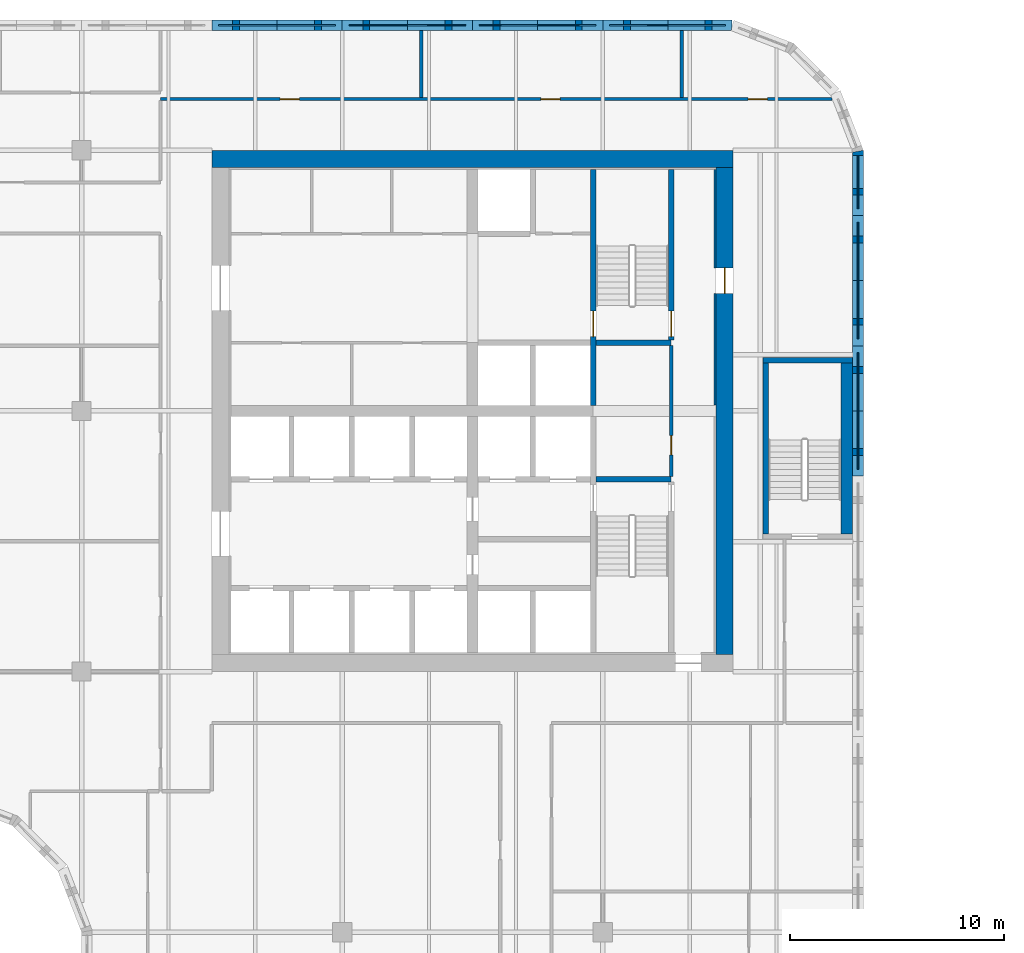
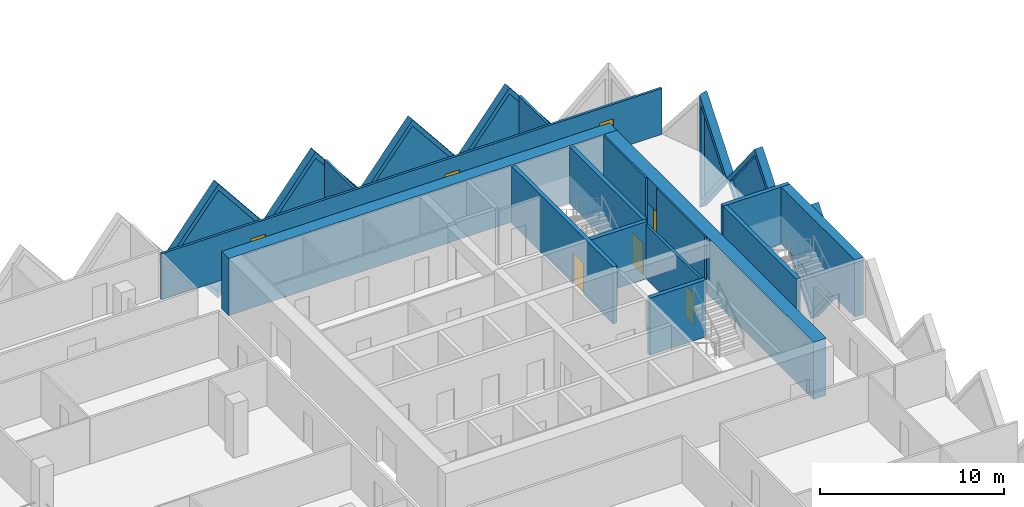
# One storey, part 10 of 19: 22 walls, 7 doors, 7 plates, 14 openings.
"""IFC4 building model written with IfcOpenShell, lengths in metres."""

from ifc_helpers import new_model, si_unit, direction, frame, frame_2d, origin, place, context, subcontext, project, spatial, polyline, rectangle, outline, extrude, faceted_brep, source, transform, mapped, material, layer, layer_set, type_object, element, fill, save


model = new_model("IFC4")

# Units and contexts
model_context = context("Model", 3, precision=1e-05, world=origin(), true_north=direction((0.0, 1.0)))
body_context = subcontext(model_context, "Body", "Model", "MODEL_VIEW")
ifc_project = project(units=[si_unit("LENGTHUNIT", "METRE"), si_unit("AREAUNIT", "SQUARE_METRE"), si_unit("VOLUMEUNIT", "CUBIC_METRE"), si_unit("PLANEANGLEUNIT", "RADIAN"), si_unit("MASSUNIT", "GRAM", prefix="KILO")], contexts=[model_context])

# Site, building, storey
site_placement = place(None, origin())
site = spatial("IfcSite", under=ifc_project, at=site_placement, CompositionType="ELEMENT")
building_placement = place(site_placement, origin())
building = spatial("IfcBuilding", under=site, at=building_placement, Name="Tessera Gate Towers", CompositionType="ELEMENT")
storey_placement = place(building_placement, frame((0.0, 0.0, 80.0)))
storey = spatial("IfcBuildingStorey", under=building, at=storey_placement, Name="L19", CompositionType="ELEMENT", Elevation=80.0)

# Wall, opening, door
ifc_material_1 = material(Name="Concrete C40/50", Category="concrete")
ifc_layer_1 = layer(ifc_material_1, 0.25)
ifc_layer_set_1 = layer_set([ifc_layer_1], Name="CORE ENCLOSURE WALL 250")
wall_type_1 = type_object("IfcWallType", Name="CORE ENCLOSURE WALL 250", PredefinedType="SOLIDWALL", material=ifc_layer_set_1)
wall_1_placement = place(storey_placement, frame((48.35009765625, 47.89990234375, 0.0), z_axis=(0.0, 0.0, 1.0), x_axis=(0.0, -1.0, 0.0)))
wall_1 = element("IfcWall", 1, at=wall_1_placement, inside=storey, type_object=wall_type_1, Name="L19 shaft and stair enclosure wall", PredefinedType="SOLIDWALL", context=body_context, shape_type="SweptSolid", body=[
    extrude(rectangle(XDim=11.0498046875, YDim=0.25, at=frame_2d((5.52490234375, 0.0))), origin(), (0.0, 0.0, 1.0), 3.800048828125),
])
shared_shape_1 = source(origin(), body_context, "Body", "SweptSolid", [
    extrude(rectangle(XDim=1.199951171875, YDim=2.10009765625, at=frame_2d((0.60009765625, 1.050048828125))), frame((0.0, 0.135009765625, 0.0), z_axis=(0.0, -1.0, 0.0), x_axis=(1.0, 0.0, 0.0)), (0.0, 0.0, 1.0), 0.27001953125),
])
opening_1_placement = place(wall_1_placement, frame((6.625, 0.0, 0.0)))
opening_1 = element("IfcOpeningElement", 2, at=opening_1_placement, cuts=wall_1, Name="Opening SD-ST2-1", PredefinedType="OPENING", context=body_context, shape_type="MappedRepresentation", body=[
    mapped(shared_shape_1, transform((0.0, 0.0, 0.0), scale=1.0)),
])
ifc_material_2 = material(Name="Hollow steel fire door", Category="steel")
door_type_1 = type_object("IfcDoorType", Name="CORE DOOR SD 1200x2100", OperationType="NOTDEFINED", PredefinedType="DOOR", material=ifc_material_2)
shared_shape_2 = source(origin(), body_context, "Body", "SweptSolid", [
    extrude(rectangle(XDim=1.199951171875, YDim=2.10009765625, at=frame_2d((0.60009765625, 1.050048828125))), frame((0.0, 0.02490234375, 0.0), z_axis=(0.0, -1.0, 0.0), x_axis=(1.0, 0.0, 0.0)), (0.0, 0.0, 1.0), 0.050048828125),
])
door_1_placement = place(opening_1_placement, origin())
door_1 = element("IfcDoor", 3, at=door_1_placement, inside=storey, type_object=door_type_1, Name="Stair door", OperationType="SINGLE_SWING_RIGHT", OverallHeight=2.10009765625, OverallWidth=1.199951171875, PredefinedType="DOOR", context=body_context, shape_type="MappedRepresentation", body=[
    mapped(shared_shape_2, transform((0.0, 0.0, 0.0), scale=1.0)),
])
fill(opening_1, door_1)

# Walls
for number, where, z_axis, x_axis, name in (
    (4, (48.47509765625, 33.39990234375, 0.0), (0.0, 0.0, 1.0), (1.0, 0.0, 0.0), "L19 shaft and stair enclosure wall"),
    (5, (48.47509765625, 39.800048828125, 0.0), (0.0, 0.0, 1.0), (1.0, 0.0, 0.0), "L19 shaft and stair enclosure wall"),
):
    element("IfcWall", number, at=place(storey_placement, frame(where, z_axis=z_axis, x_axis=x_axis)), inside=storey, type_object=wall_type_1, Name=name, PredefinedType="SOLIDWALL", context=body_context, shape_type="SweptSolid", body=[
        extrude(rectangle(XDim=3.52490234375, YDim=0.25, at=frame_2d((1.762451171875, 0.0))), origin(), (0.0, 0.0, 1.0), 3.800048828125),
    ])

# Wall, opening, door
wall_2_placement = place(storey_placement, frame((52.0, 39.925048828125, 0.0), z_axis=(0.0, 0.0, 1.0), x_axis=(0.0, 1.0, 0.0)))
wall_2 = element("IfcWall", 6, at=wall_2_placement, inside=storey, type_object=wall_type_1, Name="L19 shaft and stair enclosure wall", PredefinedType="SOLIDWALL", context=body_context, shape_type="SweptSolid", body=[
    extrude(rectangle(XDim=7.974853515625, YDim=0.25, at=frame_2d((3.9873046875, 0.0))), origin(), (0.0, 0.0, 1.0), 3.800048828125),
])
opening_2_placement = place(wall_2_placement, frame((0.14990234375, 0.0, 0.0)))
opening_2 = element("IfcOpeningElement", 7, at=opening_2_placement, cuts=wall_2, Name="Opening SD-ST2-2", PredefinedType="OPENING", context=body_context, shape_type="MappedRepresentation", body=[
    mapped(shared_shape_1, transform((0.0, 0.0, 0.0), scale=1.0)),
])
door_2_placement = place(opening_2_placement, origin())
door_2 = element("IfcDoor", 8, at=door_2_placement, inside=storey, type_object=door_type_1, Name="Stair door", OperationType="SINGLE_SWING_LEFT", OverallHeight=2.10009765625, OverallWidth=1.199951171875, PredefinedType="DOOR", context=body_context, shape_type="MappedRepresentation", body=[
    mapped(shared_shape_2, transform((0.0, 0.0, 0.0), scale=1.0)),
])
fill(opening_2, door_2)

# Walls
wall_3_placement = place(storey_placement, frame((56.425048828125, 30.85009765625, 0.0), z_axis=(0.0, 0.0, 1.0), x_axis=(0.0, 1.0, 0.0)))
element("IfcWall", 9, at=wall_3_placement, inside=storey, type_object=wall_type_1, Name="L19 ST5 enclosure wall", PredefinedType="SOLIDWALL", context=body_context, shape_type="SweptSolid", body=[
    extrude(rectangle(XDim=8.0, YDim=0.25, at=frame_2d((4.0, 0.0))), origin(), (0.0, 0.0, 1.0), 3.800048828125),
])
wall_4_placement = place(storey_placement, frame((56.300048828125, 38.97509765625, 0.0), z_axis=(0.0, 0.0, 1.0), x_axis=(1.0, 0.0, 0.0)))
element("IfcWall", 10, at=wall_4_placement, inside=storey, type_object=wall_type_1, Name="L19 ST5 enclosure wall", PredefinedType="SOLIDWALL", context=body_context, shape_type="SweptSolid", body=[
    extrude(rectangle(XDim=4.199951171875, YDim=0.25, at=frame_2d((2.10009765625, 0.0))), origin(), (0.0, 0.0, 1.0), 3.800048828125),
])
ifc_material_3 = material(Name="Concrete C40/50", Category="concrete")
ifc_layer_2 = layer(ifc_material_3, 0.550048828125)
ifc_layer_set_2 = layer_set([ifc_layer_2], Name="CORE ENCLOSURE WALL 550")
wall_type_2 = type_object("IfcWallType", Name="CORE ENCLOSURE WALL 550", PredefinedType="SOLIDWALL", material=ifc_layer_set_2)
wall_5_placement = place(storey_placement, frame((60.22509765625, 38.85009765625, 0.0), z_axis=(0.0, 0.0, 1.0), x_axis=(0.0, -1.0, 0.0)))
element("IfcWall", 11, at=wall_5_placement, inside=storey, type_object=wall_type_2, Name="L19 ST5 enclosure wall", PredefinedType="SOLIDWALL", context=body_context, shape_type="SweptSolid", body=[
    extrude(rectangle(XDim=8.0, YDim=0.550048828125, at=frame_2d((4.0, 0.0))), origin(), (0.0, 0.0, 1.0), 3.800048828125),
])
ifc_material_4 = material(Name="Concrete C60/75", Category="concrete")
ifc_layer_3 = layer(ifc_material_4, 0.800048828125)
ifc_layer_set_3 = layer_set([ifc_layer_3], Name="CORE SHEAR WALL 800 C60/75")
wall_type_3 = type_object("IfcWallType", Name="CORE SHEAR WALL 800 C60/75", PredefinedType="SHEAR", material=ifc_layer_set_3)
wall_6_placement = place(storey_placement, frame((30.5, 48.39990234375, 0.0), z_axis=(0.0, 0.0, 1.0), x_axis=(1.0, 0.0, 0.0)))
element("IfcWall", 12, at=wall_6_placement, inside=storey, type_object=wall_type_3, Name="Core wall N L19", PredefinedType="SHEAR", context=body_context, shape_type="SweptSolid", body=[
    extrude(rectangle(XDim=24.39990234375, YDim=0.800048828125, at=frame_2d((12.199951171875, 0.0))), origin(), (0.0, 0.0, 1.0), 3.800048828125),
])

# Wall, opening, door
wall_7_placement = place(storey_placement, frame((54.5, 48.0, 0.0), z_axis=(0.0, 0.0, 1.0), x_axis=(0.0, -1.0, 0.0)))
wall_7 = element("IfcWall", 13, at=wall_7_placement, inside=storey, type_object=wall_type_3, Name="Core wall E L19", PredefinedType="SHEAR", context=body_context, shape_type="SweptSolid", body=[
    extrude(rectangle(XDim=22.800048828125, YDim=0.800048828125, at=frame_2d((11.39990234375, 0.0))), origin(), (0.0, 0.0, 1.0), 3.800048828125),
])
shared_shape_3 = source(origin(), body_context, "Body", "SweptSolid", [
    extrude(rectangle(XDim=1.199951171875, YDim=2.10009765625, at=frame_2d((0.60009765625, 1.050048828125))), frame((0.0, 0.409912109375, 0.0), z_axis=(0.0, -1.0, 0.0), x_axis=(1.0, 0.0, 0.0)), (0.0, 0.0, 1.0), 0.820068359375),
])
opening_3_placement = place(wall_7_placement, frame((4.699951171875, 0.0, 0.0)))
opening_3 = element("IfcOpeningElement", 14, at=opening_3_placement, cuts=wall_7, Name="Opening ED-T1-14-04", PredefinedType="OPENING", context=body_context, shape_type="MappedRepresentation", body=[
    mapped(shared_shape_3, transform((0.0, 0.0, 0.0), scale=1.0)),
])
ifc_material_5 = material(Name="Hollow steel fire door", Category="steel")
door_type_2 = type_object("IfcDoorType", Name="CORE DOOR ED 1200x2100", OperationType="NOTDEFINED", PredefinedType="DOOR", material=ifc_material_5)
door_3_placement = place(opening_3_placement, origin())
door_3 = element("IfcDoor", 15, at=door_3_placement, inside=storey, type_object=door_type_2, Name="Core exit door", OperationType="SINGLE_SWING_LEFT", OverallHeight=2.10009765625, OverallWidth=1.199951171875, PredefinedType="DOOR", context=body_context, shape_type="MappedRepresentation", body=[
    mapped(shared_shape_2, transform((0.0, 0.0, 0.0), scale=1.0)),
])
fill(opening_3, door_3)

# Walls
ifc_material_6 = material(Name="Concrete C60/75", Category="concrete")
ifc_layer_4 = layer(ifc_material_6, 0.10009765625)
ifc_layer_set_4 = layer_set([ifc_layer_4], Name="CORE WALL THICKENING 100")
wall_type_4 = type_object("IfcWallType", Name="CORE WALL THICKENING 100", PredefinedType="SOLIDWALL", material=ifc_layer_set_4)
wall_8_placement = place(storey_placement, frame((54.050048828125, 36.8798828125, 0.0), z_axis=(0.0, 0.0, 1.0), x_axis=(0.0, 1.0, 0.0)))
element("IfcWall", 16, at=wall_8_placement, inside=storey, type_object=wall_type_4, Name="Core wall thickening E L19", PredefinedType="SOLIDWALL", context=body_context, shape_type="SweptSolid", body=[
    extrude(rectangle(XDim=5.22021484375, YDim=0.10009765625, at=frame_2d((2.610107421875, 0.0))), origin(), (0.0, 0.0, 1.0), 3.800048828125),
])
wall_9_placement = place(storey_placement, frame((54.050048828125, 43.300048828125, 0.0), z_axis=(0.0, 0.0, 1.0), x_axis=(0.0, 1.0, 0.0)))
element("IfcWall", 17, at=wall_9_placement, inside=storey, type_object=wall_type_4, Name="Core wall thickening E L19", PredefinedType="SOLIDWALL", context=body_context, shape_type="SweptSolid", body=[
    extrude(rectangle(XDim=4.599853515625, YDim=0.10009765625, at=frame_2d((2.2998046875, 0.0))), origin(), (0.0, 0.0, 1.0), 3.800048828125),
])

# Wall, openings, doors
ifc_material_7 = material(Name="Gypsum board on steel studs, mineral wool", Category="steel")
ifc_layer_5 = layer(ifc_material_7, 0.14990234375)
ifc_layer_set_5 = layer_set([ifc_layer_5], Name="CORRIDOR WALL 150")
wall_type_5 = type_object("IfcWallType", Name="CORRIDOR WALL 150", PredefinedType="PARTITIONING", material=ifc_layer_set_5)
wall_10_placement = place(storey_placement, frame((28.10009765625, 51.199951171875, 0.0), z_axis=(0.0, 0.0, 1.0), x_axis=(1.0, 0.0, 0.0)))
wall_10 = element("IfcWall", 18, at=wall_10_placement, inside=storey, type_object=wall_type_5, Name="T1-L19-PW-046", PredefinedType="PARTITIONING", context=body_context, shape_type="SweptSolid", body=[
    extrude(rectangle(XDim=31.438232421875, YDim=0.14990234375, at=frame_2d((15.71923828125, 0.0))), origin(), (0.0, 0.0, 1.0), 3.06689453125),
])
shared_shape_4 = source(origin(), body_context, "Body", "SweptSolid", [
    extrude(rectangle(XDim=0.89990234375, YDim=2.10009765625, at=frame_2d((0.449951171875, 1.050048828125))), frame((0.0, 0.0849609375, 0.0), z_axis=(0.0, -1.0, 0.0), x_axis=(1.0, 0.0, 0.0)), (0.0, 0.0, 1.0), 0.169921875),
])
opening_4_placement = place(wall_10_placement, frame((27.5009765625, 0.0, 0.0)))
opening_4 = element("IfcOpeningElement", 19, at=opening_4_placement, cuts=wall_10, Name="Opening D890FD60-A07-05", PredefinedType="OPENING", context=body_context, shape_type="MappedRepresentation", body=[
    mapped(shared_shape_4, transform((0.0, 0.0, 0.0), scale=1.0)),
])
opening_5_placement = place(wall_10_placement, frame((5.60009765625, 0.0, 0.0)))
opening_5 = element("IfcOpeningElement", 20, at=opening_5_placement, cuts=wall_10, Name="Opening D890FD60-A07-10", PredefinedType="OPENING", context=body_context, shape_type="MappedRepresentation", body=[
    mapped(shared_shape_4, transform((0.0, 0.0, 0.0), scale=1.0)),
])
opening_6_placement = place(wall_10_placement, frame((17.800048828125, 0.0, 0.0)))
opening_6 = element("IfcOpeningElement", 21, at=opening_6_placement, cuts=wall_10, Name="Opening D890FD60-A07-11", PredefinedType="OPENING", context=body_context, shape_type="MappedRepresentation", body=[
    mapped(shared_shape_4, transform((0.0, 0.0, 0.0), scale=1.0)),
])
ifc_material_8 = material(Name="Timber door leaf in steel frame", Category="steel")
door_type_3 = type_object("IfcDoorType", Name="CORRIDOR DOOR 900 FD60", OperationType="NOTDEFINED", PredefinedType="DOOR", material=ifc_material_8)
shared_shape_5 = source(origin(), body_context, "Body", "SweptSolid", [
    extrude(rectangle(XDim=0.89990234375, YDim=2.10009765625, at=frame_2d((0.449951171875, 1.050048828125))), frame((0.0, 0.02490234375, 0.0), z_axis=(0.0, -1.0, 0.0), x_axis=(1.0, 0.0, 0.0)), (0.0, 0.0, 1.0), 0.050048828125),
])
door_4_placement = place(opening_4_placement, origin())
door_4 = element("IfcDoor", 22, at=door_4_placement, inside=storey, type_object=door_type_3, Name="T1-L19-PD-014", OperationType="SINGLE_SWING_LEFT", OverallHeight=2.10009765625, OverallWidth=0.89990234375, PredefinedType="DOOR", context=body_context, shape_type="MappedRepresentation", body=[
    mapped(shared_shape_5, transform((0.0, 0.0, 0.0), scale=1.0)),
])
fill(opening_4, door_4)
door_5_placement = place(opening_5_placement, origin())
door_5 = element("IfcDoor", 23, at=door_5_placement, inside=storey, type_object=door_type_3, Name="T1-L19-PD-024", OperationType="SINGLE_SWING_LEFT", OverallHeight=2.10009765625, OverallWidth=0.89990234375, PredefinedType="DOOR", context=body_context, shape_type="MappedRepresentation", body=[
    mapped(shared_shape_5, transform((0.0, 0.0, 0.0), scale=1.0)),
])
fill(opening_5, door_5)
door_6_placement = place(opening_6_placement, origin())
door_6 = element("IfcDoor", 24, at=door_6_placement, inside=storey, type_object=door_type_3, Name="T1-L19-PD-025", OperationType="SINGLE_SWING_LEFT", OverallHeight=2.10009765625, OverallWidth=0.89990234375, PredefinedType="DOOR", context=body_context, shape_type="MappedRepresentation", body=[
    mapped(shared_shape_5, transform((0.0, 0.0, 0.0), scale=1.0)),
])
fill(opening_6, door_6)

# Wall, opening, door
ifc_material_9 = material(Name="Gypsum board on steel studs", Category="steel")
ifc_layer_6 = layer(ifc_material_9, 0.14990234375)
ifc_layer_set_6 = layer_set([ifc_layer_6], Name="SERVICE ROOM WALL 150")
wall_type_6 = type_object("IfcWallType", Name="SERVICE ROOM WALL 150", PredefinedType="PARTITIONING", material=ifc_layer_set_6)
wall_11_placement = place(storey_placement, frame((52.0, 33.52490234375, 0.0), z_axis=(0.0, 0.0, 1.0), x_axis=(0.0, 1.0, 0.0)))
wall_11 = element("IfcWall", 25, at=wall_11_placement, inside=storey, type_object=wall_type_6, Name="L19 service room wall", PredefinedType="PARTITIONING", context=body_context, shape_type="SweptSolid", body=[
    extrude(rectangle(XDim=6.150146484375, YDim=0.14990234375, at=frame_2d((3.0751953125, 0.0))), origin(), (0.0, 0.0, 1.0), 3.60009765625),
])
opening_7_placement = place(wall_11_placement, frame((1.02490234375, 0.0, 0.0)))
opening_7 = element("IfcOpeningElement", 26, at=opening_7_placement, cuts=wall_11, Name="Opening RD-T1-14-12", PredefinedType="OPENING", context=body_context, shape_type="MappedRepresentation", body=[
    mapped(shared_shape_4, transform((0.0, 0.0, 0.0), scale=1.0)),
])
ifc_material_10 = material(Name="Hollow steel fire door", Category="steel")
door_type_4 = type_object("IfcDoorType", Name="CORE DOOR RD 900x2100", OperationType="NOTDEFINED", PredefinedType="DOOR", material=ifc_material_10)
door_7_placement = place(opening_7_placement, origin())
door_7 = element("IfcDoor", 27, at=door_7_placement, inside=storey, type_object=door_type_4, Name="Core room door", OperationType="SINGLE_SWING_LEFT", OverallHeight=2.10009765625, OverallWidth=0.89990234375, PredefinedType="DOOR", context=body_context, shape_type="MappedRepresentation", body=[
    mapped(shared_shape_5, transform((0.0, 0.0, 0.0), scale=1.0)),
])
fill(opening_7, door_7)

# Walls
ifc_material_11 = material(Name="Gypsum board on steel studs, mineral wool", Category="steel")
ifc_layer_7 = layer(ifc_material_11, 0.14990234375)
ifc_layer_set_7 = layer_set([ifc_layer_7], Name="TENANCY WALL 150")
wall_type_7 = type_object("IfcWallType", Name="TENANCY WALL 150", PredefinedType="PARTITIONING", material=ifc_layer_set_7)
for number, where, z_axis, x_axis, name in (
    (28, (40.300048828125, 51.27587890625, 0.0), (0.0, 0.0, 1.0), (0.0, 1.0, 0.0), "T1-L19-PW-047"),
    (29, (52.5, 51.27587890625, 0.0), (0.0, 0.0, 1.0), (0.0, 1.0, 0.0), "T1-L19-PW-048"),
):
    element("IfcWall", number, at=place(storey_placement, frame(where, z_axis=z_axis, x_axis=x_axis)), inside=storey, type_object=wall_type_7, Name=name, PredefinedType="PARTITIONING", context=body_context, shape_type="SweptSolid", body=[
        extrude(rectangle(XDim=3.1240234375, YDim=0.14990234375, at=frame_2d((1.56201171875, 0.0))), origin(), (0.0, 0.0, 1.0), 3.06689453125),
    ])

# Wall, opening, plate
ifc_material_12 = material(Name="Precast concrete C60/75 white", Category="concrete")
ifc_layer_8 = layer(ifc_material_12, 0.5)
ifc_layer_set_8 = layer_set([ifc_layer_8], Name="TS1 tessera")
wall_type_8 = type_object("IfcWallType", Name="TS1 tessera", PredefinedType="SOLIDWALL", material=ifc_layer_set_8)
shared_shape_6 = source(origin(), body_context, "Body", "Brep", [
    faceted_brep([(3.00341796875, -0.25, 0.0), (6.053466796875, -0.25, 3.800048828125), (3.00341796875, -0.25, 7.60009765625), (0.0, -0.25, 3.800048828125), (0.046630859375, 0.25, 3.85888671875), (3.00341796875, 0.25, 7.60009765625), (6.053466796875, 0.25, 3.800048828125), (3.00341796875, 0.25, 0.0), (0.046630859375, 0.25, 3.7412109375), (0.0, 0.0, 3.800048828125)], [[[0, 1, 2, 3]], [[4, 5, 6, 7, 8]], [[7, 6, 1, 0]], [[6, 5, 2, 1]], [[5, 4, 9, 3, 2]], [[8, 7, 0, 3, 9]], [[8, 9, 4]]]),
])
wall_12_placement = place(storey_placement, frame((54.853515625, 54.64990234375, -3.800048828125), z_axis=(0.0, 0.0, 1.0), x_axis=(-1.0, 0.0, 0.0)))
wall_12 = element("IfcWall", 30, at=wall_12_placement, inside=storey, type_object=wall_type_8, Name="Precast tessera T1 TS1-0286", PredefinedType="SOLIDWALL", context=body_context, shape_type="MappedRepresentation", body=[
    mapped(shared_shape_6, transform((0.0, 0.0, 0.0), scale=1.0)),
])
shared_shape_7 = source(origin(), body_context, "Body", "SweptSolid", [
    extrude(outline(polyline([(3.0048828125, 0.4013671875), (5.73291015625, 3.800048828125), (3.0048828125, 7.19873046875), (0.318603515625, 3.800048828125), (3.0048828125, 0.4013671875)])), frame((0.0, 0.260009765625, 0.0), z_axis=(0.0, -1.0, 0.0), x_axis=(1.0, 0.0, 0.0)), (0.0, 0.0, 1.0), 0.52001953125),
])
opening_8_placement = place(wall_12_placement, origin())
opening_8 = element("IfcOpeningElement", 31, at=opening_8_placement, cuts=wall_12, Name="Opening T1-PL2-0582", PredefinedType="OPENING", context=body_context, shape_type="MappedRepresentation", body=[
    mapped(shared_shape_7, transform((0.0, 0.0, 0.0), scale=1.0)),
])
ifc_material_13 = material(Name="Low-e laminated glass", Category="glass")
ifc_layer_9 = layer(ifc_material_13, 0.06005859375)
ifc_layer_set_9 = layer_set([ifc_layer_9], Name="PL2 rhombic pane")
plate_type = type_object("IfcPlateType", Name="PL2 rhombic pane", PredefinedType="SHEET", material=ifc_layer_set_9)
shared_shape_8 = source(origin(), body_context, "Body", "SweptSolid", [
    extrude(outline(polyline([(3.0048828125, 0.4013671875), (5.73291015625, 3.800048828125), (3.0048828125, 7.19873046875), (0.318603515625, 3.800048828125), (3.0048828125, 0.4013671875)])), frame((0.0, 0.030029296875, 0.0), z_axis=(0.0, -1.0, 0.0), x_axis=(1.0, 0.0, 0.0)), (0.0, 0.0, 1.0), 0.06005859375),
])
plate_1_placement = place(opening_8_placement, origin())
plate_1 = element("IfcPlate", 32, at=plate_1_placement, inside=storey, type_object=plate_type, Name="Glass pane T1 PL2-0582", PredefinedType="SHEET", context=body_context, shape_type="MappedRepresentation", body=[
    mapped(shared_shape_8, transform((0.0, 0.0, 0.0), scale=1.0)),
])
fill(opening_8, plate_1)

shared_shape_9 = source(origin(), body_context, "Body", "Brep", [
    faceted_brep([(3.050048828125, -0.25, 0.0), (6.099853515625, -0.25, 3.7998046875), (6.099853515625, -0.25, 3.80029296875), (3.050048828125, -0.25, 7.60009765625), (0.0, -0.25, 3.800048828125), (0.0, 0.25, 3.800048828125), (3.050048828125, 0.25, 7.60009765625), (6.099853515625, 0.25, 3.80029296875), (6.099853515625, 0.25, 3.7998046875), (3.050048828125, 0.25, 0.0)], [[[0, 1, 2, 3, 4]], [[5, 6, 7, 8, 9]], [[9, 8, 1, 0]], [[7, 6, 3, 2]], [[6, 5, 4, 3]], [[5, 9, 0, 4]], [[1, 8, 7, 2]]]),
])
wall_13_placement = place(storey_placement, frame((60.75, 33.550048828125, -3.800048828125), z_axis=(0.0, 0.0, 1.0), x_axis=(0.0, 1.0, 0.0)))
wall_13 = element("IfcWall", 33, at=wall_13_placement, inside=storey, type_object=wall_type_8, Name="Precast tessera T1 TS1-0284", PredefinedType="SOLIDWALL", context=body_context, shape_type="MappedRepresentation", body=[
    mapped(shared_shape_9, transform((0.0, 0.0, 0.0), scale=1.0)),
])
shared_shape_10 = source(origin(), body_context, "Body", "SweptSolid", [
    extrude(outline(polyline([(3.050048828125, 0.3994140625), (5.779541015625, 3.800048828125), (3.050048828125, 7.20068359375), (0.320556640625, 3.800048828125), (3.050048828125, 0.3994140625)])), frame((0.0, 0.260009765625, 0.0), z_axis=(0.0, -1.0, 0.0), x_axis=(1.0, 0.0, 0.0)), (0.0, 0.0, 1.0), 0.52001953125),
])
opening_9_placement = place(wall_13_placement, origin())
opening_9 = element("IfcOpeningElement", 34, at=opening_9_placement, cuts=wall_13, Name="Opening T1-PL2-0576", PredefinedType="OPENING", context=body_context, shape_type="MappedRepresentation", body=[
    mapped(shared_shape_10, transform((0.0, 0.0, 0.0), scale=1.0)),
])
shared_shape_11 = source(origin(), body_context, "Body", "SweptSolid", [
    extrude(outline(polyline([(3.050048828125, 0.3994140625), (5.779541015625, 3.800048828125), (3.050048828125, 7.20068359375), (0.320556640625, 3.800048828125), (3.050048828125, 0.3994140625)])), frame((0.0, 0.030029296875, 0.0), z_axis=(0.0, -1.0, 0.0), x_axis=(1.0, 0.0, 0.0)), (0.0, 0.0, 1.0), 0.06005859375),
])
plate_2_placement = place(opening_9_placement, origin())
plate_2 = element("IfcPlate", 35, at=plate_2_placement, inside=storey, type_object=plate_type, Name="Glass pane T1 PL2-0576", PredefinedType="SHEET", context=body_context, shape_type="MappedRepresentation", body=[
    mapped(shared_shape_11, transform((0.0, 0.0, 0.0), scale=1.0)),
])
fill(opening_9, plate_2)

wall_14_placement = place(storey_placement, frame((42.699951171875, 54.64990234375, -3.800048828125), z_axis=(0.0, 0.0, 1.0), x_axis=(-1.0, 0.0, 0.0)))
wall_14 = element("IfcWall", 36, at=wall_14_placement, inside=storey, type_object=wall_type_8, Name="Precast tessera T1 TS1-0288", PredefinedType="SOLIDWALL", context=body_context, shape_type="MappedRepresentation", body=[
    mapped(shared_shape_9, transform((0.0, 0.0, 0.0), scale=1.0)),
])
opening_10_placement = place(wall_14_placement, origin())
opening_10 = element("IfcOpeningElement", 37, at=opening_10_placement, cuts=wall_14, Name="Opening T1-PL2-0584", PredefinedType="OPENING", context=body_context, shape_type="MappedRepresentation", body=[
    mapped(shared_shape_10, transform((0.0, 0.0, 0.0), scale=1.0)),
])
plate_3_placement = place(opening_10_placement, origin())
plate_3 = element("IfcPlate", 38, at=plate_3_placement, inside=storey, type_object=plate_type, Name="Glass pane T1 PL2-0584", PredefinedType="SHEET", context=body_context, shape_type="MappedRepresentation", body=[
    mapped(shared_shape_11, transform((0.0, 0.0, 0.0), scale=1.0)),
])
fill(opening_10, plate_3)

shared_shape_12 = source(origin(), body_context, "Body", "SweptSolid", [
    extrude(outline(polyline([(3.050048828125, 0.0), (6.10009765625, 3.800048828125), (3.050048828125, 7.60009765625), (0.0, 3.800048828125), (3.050048828125, 0.0)])), frame((0.0, 0.25, 0.0), z_axis=(0.0, -1.0, 0.0), x_axis=(1.0, 0.0, 0.0)), (0.0, 0.0, 1.0), 0.5),
])
wall_15_placement = place(storey_placement, frame((60.75, 39.64990234375, -3.800048828125), z_axis=(0.0, 0.0, 1.0), x_axis=(0.0, 1.0, 0.0)))
wall_15 = element("IfcWall", 39, at=wall_15_placement, inside=storey, type_object=wall_type_8, Name="Precast tessera T1 TS1-0285", PredefinedType="SOLIDWALL", context=body_context, shape_type="MappedRepresentation", body=[
    mapped(shared_shape_12, transform((0.0, 0.0, 0.0), scale=1.0)),
])
opening_11_placement = place(wall_15_placement, origin())
opening_11 = element("IfcOpeningElement", 40, at=opening_11_placement, cuts=wall_15, Name="Opening T1-PL2-0577", PredefinedType="OPENING", context=body_context, shape_type="MappedRepresentation", body=[
    mapped(shared_shape_10, transform((0.0, 0.0, 0.0), scale=1.0)),
])
plate_4_placement = place(opening_11_placement, origin())
plate_4 = element("IfcPlate", 41, at=plate_4_placement, inside=storey, type_object=plate_type, Name="Glass pane T1 PL2-0577", PredefinedType="SHEET", context=body_context, shape_type="MappedRepresentation", body=[
    mapped(shared_shape_11, transform((0.0, 0.0, 0.0), scale=1.0)),
])
fill(opening_11, plate_4)

wall_16_placement = place(storey_placement, frame((48.800048828125, 54.64990234375, -3.800048828125), z_axis=(0.0, 0.0, 1.0), x_axis=(-1.0, 0.0, 0.0)))
wall_16 = element("IfcWall", 42, at=wall_16_placement, inside=storey, type_object=wall_type_8, Name="Precast tessera T1 TS1-0287", PredefinedType="SOLIDWALL", context=body_context, shape_type="MappedRepresentation", body=[
    mapped(shared_shape_12, transform((0.0, 0.0, 0.0), scale=1.0)),
])
opening_12_placement = place(wall_16_placement, origin())
opening_12 = element("IfcOpeningElement", 43, at=opening_12_placement, cuts=wall_16, Name="Opening T1-PL2-0583", PredefinedType="OPENING", context=body_context, shape_type="MappedRepresentation", body=[
    mapped(shared_shape_10, transform((0.0, 0.0, 0.0), scale=1.0)),
])
plate_5_placement = place(opening_12_placement, origin())
plate_5 = element("IfcPlate", 44, at=plate_5_placement, inside=storey, type_object=plate_type, Name="Glass pane T1 PL2-0583", PredefinedType="SHEET", context=body_context, shape_type="MappedRepresentation", body=[
    mapped(shared_shape_11, transform((0.0, 0.0, 0.0), scale=1.0)),
])
fill(opening_12, plate_5)

wall_17_placement = place(storey_placement, frame((36.60009765625, 54.64990234375, -3.800048828125), z_axis=(0.0, 0.0, 1.0), x_axis=(-1.0, 0.0, 0.0)))
wall_17 = element("IfcWall", 45, at=wall_17_placement, inside=storey, type_object=wall_type_8, Name="Precast tessera T1 TS1-0289", PredefinedType="SOLIDWALL", context=body_context, shape_type="MappedRepresentation", body=[
    mapped(shared_shape_12, transform((0.0, 0.0, 0.0), scale=1.0)),
])
opening_13_placement = place(wall_17_placement, origin())
opening_13 = element("IfcOpeningElement", 46, at=opening_13_placement, cuts=wall_17, Name="Opening T1-PL2-0585", PredefinedType="OPENING", context=body_context, shape_type="MappedRepresentation", body=[
    mapped(shared_shape_10, transform((0.0, 0.0, 0.0), scale=1.0)),
])
plate_6_placement = place(opening_13_placement, origin())
plate_6 = element("IfcPlate", 47, at=plate_6_placement, inside=storey, type_object=plate_type, Name="Glass pane T1 PL2-0585", PredefinedType="SHEET", context=body_context, shape_type="MappedRepresentation", body=[
    mapped(shared_shape_11, transform((0.0, 0.0, 0.0), scale=1.0)),
])
fill(opening_13, plate_6)

ifc_material_14 = material(Name="Precast concrete C60/75 white", Category="concrete")
ifc_layer_10 = layer(ifc_material_14, 0.5)
ifc_layer_set_10 = layer_set([ifc_layer_10], Name="TS3 corner tessera")
wall_type_9 = type_object("IfcWallType", Name="TS3 corner tessera", PredefinedType="SOLIDWALL", material=ifc_layer_set_10)
shared_shape_13 = source(origin(), body_context, "Body", "Brep", [
    faceted_brep([(3.00341796875, -0.25, 0.0), (3.050048828125, -0.25, 0.06005859375), (3.050048828125, -0.25, 7.5400390625), (3.00341796875, -0.25, 7.60009765625), (0.0, -0.25, 3.800048828125), (0.0, 0.25, 3.800048828125), (2.956787109375, 0.25, 7.541259765625), (2.956787109375, 0.25, 0.058837890625), (3.00341796875, 0.000244140625, 0.0), (3.00341796875, 0.000244140625, 7.60009765625)], [[[0, 1, 2, 3, 4]], [[5, 6, 7]], [[1, 0, 8]], [[9, 3, 2]], [[6, 5, 4, 3, 9]], [[5, 7, 8, 0, 4]], [[1, 8, 7, 6, 9, 2]]]),
])
wall_18_placement = place(storey_placement, frame((60.75, 45.75, -3.800048828125), z_axis=(0.0, 0.0, 1.0), x_axis=(0.0, 1.0, 0.0)))
wall_18 = element("IfcWall", 48, at=wall_18_placement, inside=storey, type_object=wall_type_9, Name="Precast corner tessera T1 TS3-0413", PredefinedType="SOLIDWALL", context=body_context, shape_type="MappedRepresentation", body=[
    mapped(shared_shape_13, transform((0.0, 0.0, 0.0), scale=1.0)),
])
shared_shape_14 = source(origin(), body_context, "Body", "SweptSolid", [
    extrude(outline(polyline([(2.803466796875, 6.94384765625), (0.318603515625, 3.800048828125), (2.803466796875, 0.65625), (2.803466796875, 6.94384765625)])), frame((0.0, 0.260009765625, 0.0), z_axis=(0.0, -1.0, 0.0), x_axis=(1.0, 0.0, 0.0)), (0.0, 0.0, 1.0), 0.52001953125),
])
opening_14_placement = place(wall_18_placement, origin())
opening_14 = element("IfcOpeningElement", 49, at=opening_14_placement, cuts=wall_18, Name="Opening T1-PL2-0578", PredefinedType="OPENING", context=body_context, shape_type="MappedRepresentation", body=[
    mapped(shared_shape_14, transform((0.0, 0.0, 0.0), scale=1.0)),
])
shared_shape_15 = source(origin(), body_context, "Body", "SweptSolid", [
    extrude(outline(polyline([(2.803466796875, 6.94384765625), (0.318603515625, 3.800048828125), (2.803466796875, 0.65625), (2.803466796875, 6.94384765625)])), frame((0.0, 0.030029296875, 0.0), z_axis=(0.0, -1.0, 0.0), x_axis=(1.0, 0.0, 0.0)), (0.0, 0.0, 1.0), 0.06005859375),
])
plate_7_placement = place(opening_14_placement, origin())
plate_7 = element("IfcPlate", 50, at=plate_7_placement, inside=storey, type_object=plate_type, Name="Glass pane T1 PL2-0578", PredefinedType="SHEET", context=body_context, shape_type="MappedRepresentation", body=[
    mapped(shared_shape_15, transform((0.0, 0.0, 0.0), scale=1.0)),
])
fill(opening_14, plate_7)

save(model, "model.ifc")
